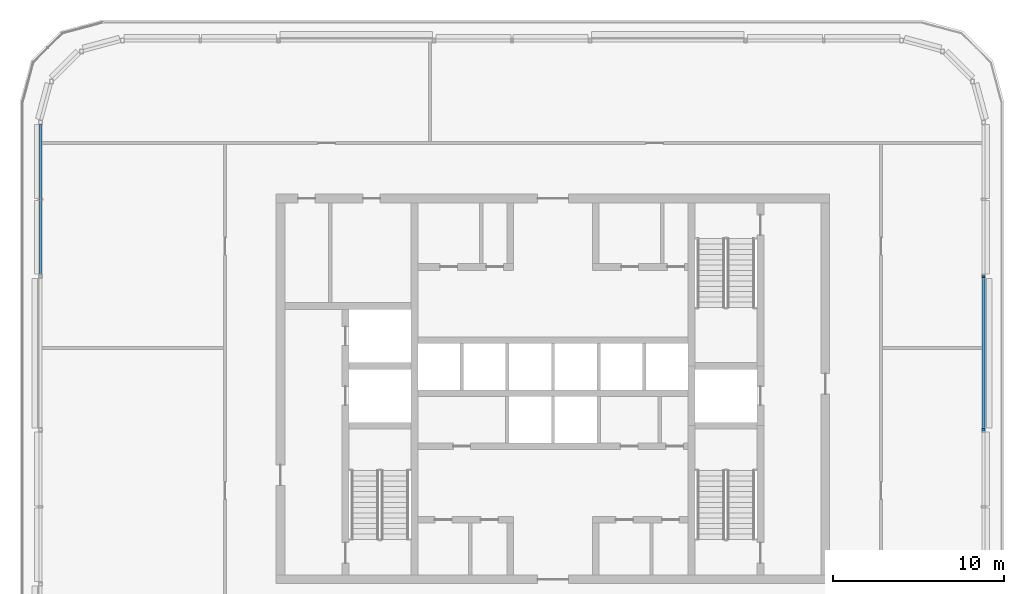
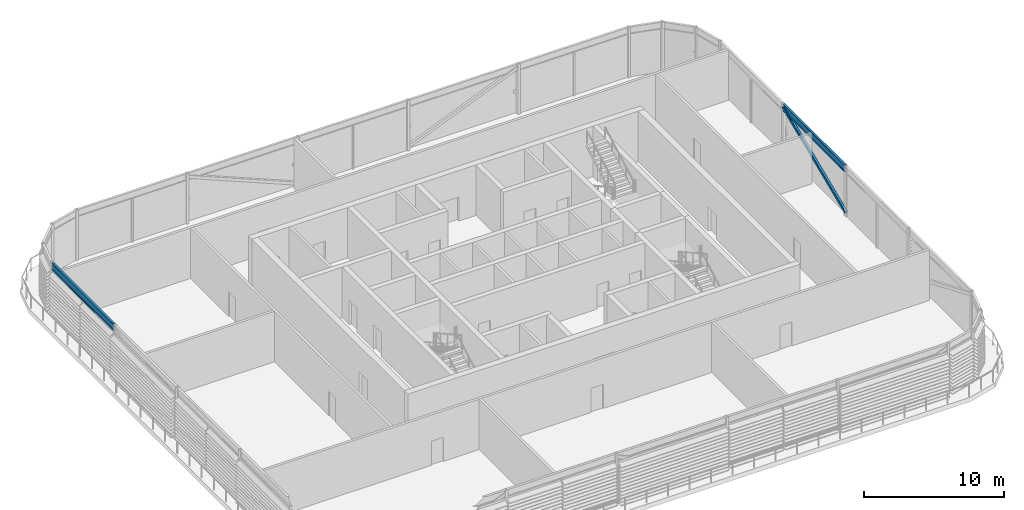
# One storey, part 10 of 29: 2 beams, 1 member.
"""IFC4 building model written with IfcOpenShell, lengths in metres."""

from ifc_helpers import new_model, si_unit, direction, frame, origin, origin_2d, place, context, subcontext, project, spatial, hollow_rectangle, i_section, extrude, material, material_profile, profile_set, type_object, element, save


model = new_model("IFC4")

# Units and contexts
model_context = context("Model", 3, precision=1e-05, world=origin(), true_north=direction((0.0, 1.0)))
body_context = subcontext(model_context, "Body", "Model", "MODEL_VIEW")
ifc_project = project(units=[si_unit("LENGTHUNIT", "METRE"), si_unit("AREAUNIT", "SQUARE_METRE"), si_unit("VOLUMEUNIT", "CUBIC_METRE"), si_unit("PLANEANGLEUNIT", "RADIAN"), si_unit("MASSUNIT", "GRAM", prefix="KILO")], contexts=[model_context])

# Site, building, storey
site_placement = place(None, origin())
site = spatial("IfcSite", under=ifc_project, at=site_placement, CompositionType="ELEMENT")
building_placement = place(site_placement, origin())
building = spatial("IfcBuilding", under=site, at=building_placement, Name="Madar Terraces", CompositionType="ELEMENT")
storey_placement = place(building_placement, frame((0.0, 0.0, 296.300048828125)))
storey = spatial("IfcBuildingStorey", under=building, at=storey_placement, Name="L77", CompositionType="ELEMENT", Elevation=296.300048828125)

# Beams
ifc_material_1 = material(Name="Steel ASTM A992 Grade 50", Category="steel")
ifc_material_profile_1 = material_profile(ifc_material_1, i_section(OverallWidth=0.1787109375, OverallDepth=0.60205078125, WebThickness=0.010986328125, FlangeThickness=0.014892578125, at=origin_2d()), Name="W24x62")
ifc_profile_set_1 = profile_set([ifc_material_profile_1], Name="Steel ASTM A992 Grade 50")
beam_type = type_object("IfcBeamType", Name="CF2 W24x62", PredefinedType="BEAM", material=ifc_profile_set_1)
for number, where, z_axis, x_axis, name in (
    (1, (56.39990234375, 24.1015625, 4.098876953125), (0.0, 1.0, 0.0), (-1.0, 0.0, 0.0), "Crown frame ring beam CF2"),
    (2, (1.199951171875, 41.8984375, 4.098876953125), (0.0, -1.0, 0.0), (1.0, 0.0, 0.0), "Crown frame ring beam CF2"),
):
    element("IfcBeam", number, at=place(storey_placement, frame(where, z_axis=z_axis, x_axis=x_axis)), inside=storey, type_object=beam_type, Name=name, PredefinedType="BEAM", context=body_context, shape_type="SweptSolid", body=[
        extrude(i_section(OverallWidth=0.1787109375, OverallDepth=0.60205078125, WebThickness=0.010986328125, FlangeThickness=0.014892578125, at=origin_2d()), origin(), (0.0, 0.0, 1.0), 8.796875),
    ])

# Member
ifc_material_2 = material(Name="Steel ASTM A500 Grade C", Category="steel")
ifc_material_profile_2 = material_profile(ifc_material_2, hollow_rectangle(XDim=0.203125, YDim=0.25390625, WallThickness=0.009521484375, InnerFilletRadius=0.00439453125, OuterFilletRadius=0.01318359375, at=origin_2d()), Name="HSS10x8x.375")
ifc_profile_set_2 = profile_set([ifc_material_profile_2], Name="Steel ASTM A500 Grade C")
member_type = type_object("IfcMemberType", Name="CF5 crown frame brace HSS10x8x.375", PredefinedType="BRACE", material=ifc_profile_set_2)
member_placement = place(storey_placement, frame((56.39990234375, 24.0, 0.300048828125), z_axis=(0.0, 0.921292542278, 0.388870224551), x_axis=(-1.0, 0.0, 0.0)))
element("IfcMember", 3, at=member_placement, inside=storey, type_object=member_type, Name="Crown frame brace CF5", PredefinedType="BRACE", context=body_context, shape_type="SweptSolid", body=[
    extrude(hollow_rectangle(XDim=0.203125, YDim=0.25390625, WallThickness=0.009521484375, InnerFilletRadius=0.00439453125, OuterFilletRadius=0.01318359375, at=origin_2d()), origin(), (0.0, 0.0, 1.0), 9.768798828125),
])

save(model, "model.ifc")
